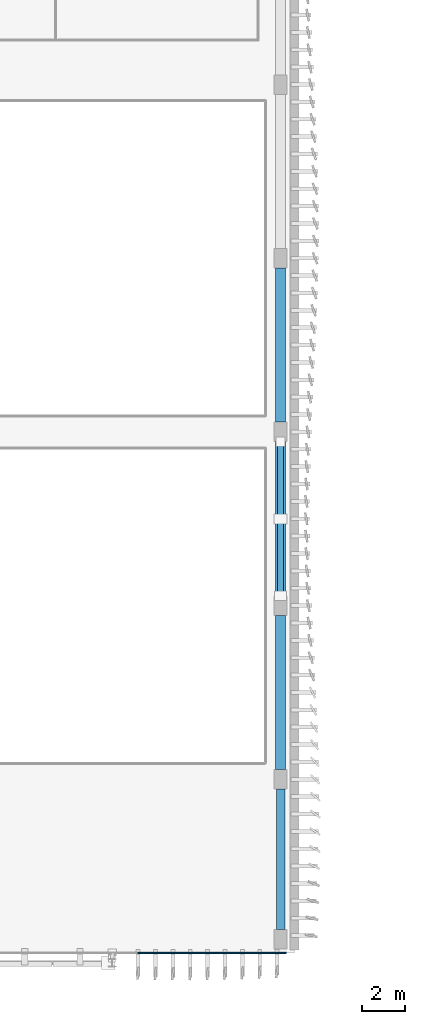
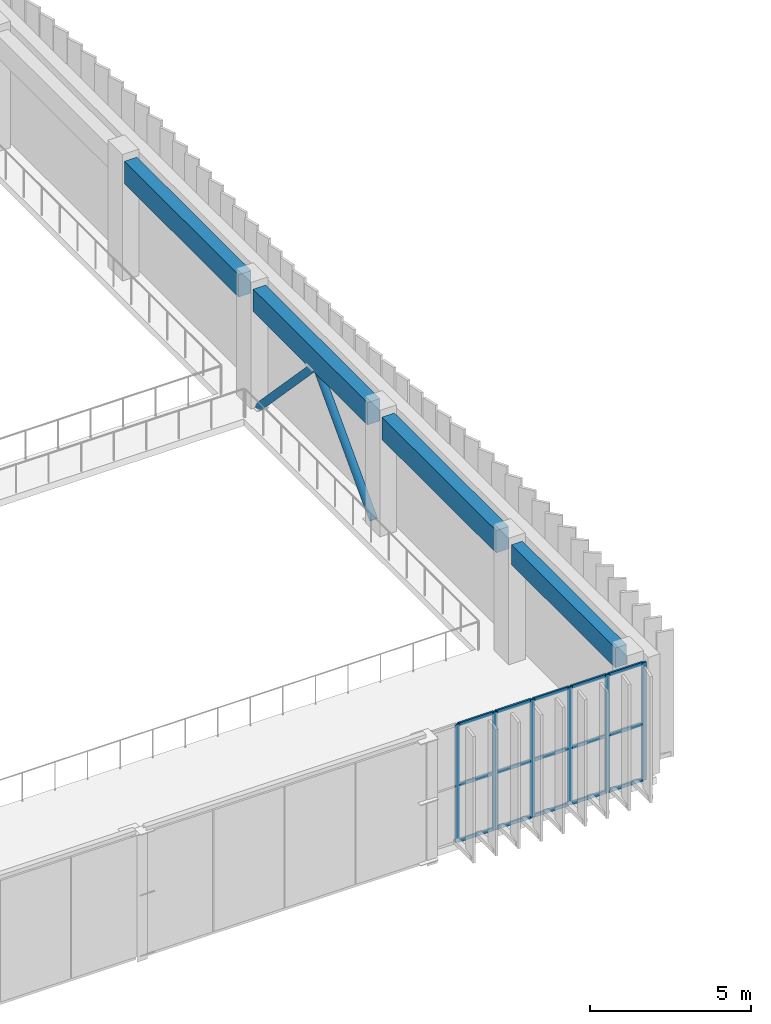
# One storey, part 7 of 64: 23 members, 4 beams, 1 element without a shape of its own.
"""IFC4 building model written with IfcOpenShell, lengths in metres."""

from ifc_helpers import new_model, si_unit, direction, frame, origin, origin_2d, place, context, subcontext, project, spatial, rectangle, hollow_circle, extrude, material, layer, layer_set, material_profile, profile_set, type_object, element, aggregate, save


model = new_model("IFC4")

# Units and contexts
model_context = context("Model", 3, precision=1e-05, world=origin(), true_north=direction((0.0, 1.0)))
body_context = subcontext(model_context, "Body", "Model", "MODEL_VIEW")
ifc_project = project(units=[si_unit("LENGTHUNIT", "METRE"), si_unit("AREAUNIT", "SQUARE_METRE"), si_unit("VOLUMEUNIT", "CUBIC_METRE"), si_unit("PLANEANGLEUNIT", "RADIAN"), si_unit("MASSUNIT", "GRAM", prefix="KILO")], contexts=[model_context])

# Site, building, storey
site_placement = place(None, origin())
site = spatial("IfcSite", under=ifc_project, at=site_placement, CompositionType="ELEMENT")
building_placement = place(site_placement, origin())
building = spatial("IfcBuilding", under=site, at=building_placement, Name="Cinchona Park Media Centre", CompositionType="ELEMENT")
storey_placement = place(building_placement, frame((0.0, 0.0, 5.39990234375)))
storey = spatial("IfcBuildingStorey", under=building, at=storey_placement, Name="L01", CompositionType="ELEMENT", Elevation=5.39990234375)

# Beams
ifc_material_1 = material(Name="Concrete C35/45", Category="concrete")
ifc_material_profile_1 = material_profile(ifc_material_1, rectangle(XDim=0.39990234375, YDim=0.75, at=origin_2d()), Name="RB 400X750")
ifc_profile_set_1 = profile_set([ifc_material_profile_1], Name="Concrete C35/45")
beam_type_1 = type_object("IfcBeamType", Name="BEAM-B01-RB400X750", PredefinedType="BEAM", material=ifc_profile_set_1)
beam_placement = place(storey_placement, frame((45.360107421875, 8.68994140625, 4.14501953125), z_axis=(0.0, 1.0, 0.0), x_axis=(-1.0, 0.0, 0.0)))
element("IfcBeam", 1, at=beam_placement, inside=storey, type_object=beam_type_1, Name="Girder B01 L01", PredefinedType="BEAM", context=body_context, shape_type="SweptSolid", body=[
    extrude(rectangle(XDim=0.39990234375, YDim=0.75, at=origin_2d()), origin(), (0.0, 0.0, 1.0), 6.4599609375),
])
ifc_material_2 = material(Name="Concrete C35/45", Category="concrete")
ifc_material_profile_2 = material_profile(ifc_material_2, rectangle(XDim=0.449951171875, YDim=0.85009765625, at=origin_2d()), Name="RB 450X850")
ifc_profile_set_2 = profile_set([ifc_material_profile_2], Name="Concrete C35/45")
beam_type_2 = type_object("IfcBeamType", Name="BEAM-B02-RB450X850", PredefinedType="BEAM", material=ifc_profile_set_2)
for number, where, z_axis, x_axis, name in (
    (2, (45.360107421875, 16.050048828125, 4.09521484375), (0.0, 1.0, 0.0), (-1.0, 0.0, 0.0), "Girder B02 L01"),
    (3, (45.360107421875, 24.050048828125, 4.09521484375), (0.0, 1.0, 0.0), (-1.0, 0.0, 0.0), "Girder B02 L01"),
    (4, (45.360107421875, 32.050048828125, 4.09521484375), (0.0, 1.0, 0.0), (-1.0, 0.0, 0.0), "Girder B02 L01"),
):
    element("IfcBeam", number, at=place(storey_placement, frame(where, z_axis=z_axis, x_axis=x_axis)), inside=storey, type_object=beam_type_2, Name=name, PredefinedType="BEAM", context=body_context, shape_type="SweptSolid", body=[
        extrude(rectangle(XDim=0.449951171875, YDim=0.85009765625, at=origin_2d()), origin(), (0.0, 0.0, 1.0), 7.099853515625),
    ])

# Members
ifc_material_3 = material(Name="Steel S355", Category="steel")
ifc_material_profile_3 = material_profile(ifc_material_3, hollow_circle(Radius=0.136474609375, WallThickness=0.01611328125, at=origin_2d()), Name="273X16CHS")
ifc_profile_set_3 = profile_set([ifc_material_profile_3], Name="Steel S355")
member_type_1 = type_object("IfcMemberType", Name="MEMBER-BR01-CHS273X16", PredefinedType="BRACE", material=ifc_profile_set_3)
member_1_placement = place(storey_placement, frame((45.360107421875, 24.054931640625, 0.005126953125), z_axis=(0.0, 0.690368318146, 0.723458074321), x_axis=(-1.0, 0.0, 0.0)))
element("IfcMember", 5, at=member_1_placement, inside=storey, type_object=member_type_1, Name="Vertical Chevron Brace BR01 L01", PredefinedType="BRACE", context=body_context, shape_type="SweptSolid", body=[
    extrude(hollow_circle(Radius=0.136474609375, WallThickness=0.01611328125, at=origin_2d()), origin(), (0.0, 0.0, 1.0), 5.13525390625),
])
member_2_placement = place(storey_placement, frame((45.360107421875, 31.14501953125, 0.005126953125), z_axis=(0.0, -0.690343433444, 0.723481820021), x_axis=(1.0, 0.0, 0.0)))
element("IfcMember", 6, at=member_2_placement, inside=storey, type_object=member_type_1, Name="Vertical Chevron Brace BR01 L01", PredefinedType="BRACE", context=body_context, shape_type="SweptSolid", body=[
    extrude(hollow_circle(Radius=0.136474609375, WallThickness=0.01611328125, at=origin_2d()), origin(), (0.0, 0.0, 1.0), 5.135009765625),
])

# Curtain wall, members
ifc_material_4 = material(Name="Aluminium Curtain Wall Framing", Category="aluminium")
ifc_layer = layer(ifc_material_4, 0.22509765625)
ifc_layer_set = layer_set([ifc_layer], Name="Aluminium Curtain Wall Framing")
curtain_wall_type = type_object("IfcCurtainWallType", Name="CW-CW04", PredefinedType="USERDEFINED", material=ifc_layer_set)
curtain_wall_placement = place(storey_placement, origin())
curtain_wall = element("IfcCurtainWall", 7, at=curtain_wall_placement, inside=storey, type_object=curtain_wall_type, Name="Curtain Wall CW04 L01", ObjectType="UNITISED CURTAIN WALL", PredefinedType="USERDEFINED")
ifc_material_5 = material(Name="Anodised Aluminium Alloy 6063-T6", Category="aluminium")
ifc_material_profile_4 = material_profile(ifc_material_5, rectangle(XDim=0.06494140625, YDim=0.159912109375, at=origin_2d()), Name="MUL-65X160")
ifc_profile_set_4 = profile_set([ifc_material_profile_4], Name="Anodised Aluminium Alloy 6063-T6")
member_type_2 = type_object("IfcMemberType", Name="MULLION-MUL01", PredefinedType="MULLION", material=ifc_profile_set_4)
member_3_placement = place(storey_placement, frame((45.547607421875, 7.60009765625, 0.050048828125), z_axis=(0.0, 0.0, 1.0), x_axis=(0.0, -1.0, 0.0)))
member_3 = element("IfcMember", 8, at=member_3_placement, type_object=member_type_2, Name="CW04 mullion 1", PredefinedType="MULLION", context=body_context, shape_type="SweptSolid", body=[
    extrude(rectangle(XDim=0.06494140625, YDim=0.159912109375, at=origin_2d()), origin(), (0.0, 0.0, 1.0), 4.469970703125),
])
member_4_placement = place(storey_placement, frame((44.234619140625, 7.60009765625, 0.050048828125), z_axis=(0.0, 0.0, 1.0), x_axis=(0.0, -1.0, 0.0)))
member_4 = element("IfcMember", 9, at=member_4_placement, type_object=member_type_2, Name="CW04 mullion 2", PredefinedType="MULLION", context=body_context, shape_type="SweptSolid", body=[
    extrude(rectangle(XDim=0.06494140625, YDim=0.159912109375, at=origin_2d()), origin(), (0.0, 0.0, 1.0), 4.469970703125),
])
member_5_placement = place(storey_placement, frame((42.88916015625, 7.60009765625, 0.050048828125), z_axis=(0.0, 0.0, 1.0), x_axis=(0.0, -1.0, 0.0)))
member_5 = element("IfcMember", 10, at=member_5_placement, type_object=member_type_2, Name="CW04 mullion 3", PredefinedType="MULLION", context=body_context, shape_type="SweptSolid", body=[
    extrude(rectangle(XDim=0.06494140625, YDim=0.159912109375, at=origin_2d()), origin(), (0.0, 0.0, 1.0), 4.469970703125),
])
member_6_placement = place(storey_placement, frame((41.543701171875, 7.60009765625, 0.050048828125), z_axis=(0.0, 0.0, 1.0), x_axis=(0.0, -1.0, 0.0)))
member_6 = element("IfcMember", 11, at=member_6_placement, type_object=member_type_2, Name="CW04 mullion 4", PredefinedType="MULLION", context=body_context, shape_type="SweptSolid", body=[
    extrude(rectangle(XDim=0.06494140625, YDim=0.159912109375, at=origin_2d()), origin(), (0.0, 0.0, 1.0), 4.469970703125),
])
member_7_placement = place(storey_placement, frame((40.1982421875, 7.60009765625, 0.050048828125), z_axis=(0.0, 0.0, 1.0), x_axis=(0.0, -1.0, 0.0)))
member_7 = element("IfcMember", 12, at=member_7_placement, type_object=member_type_2, Name="CW04 mullion 5", PredefinedType="MULLION", context=body_context, shape_type="SweptSolid", body=[
    extrude(rectangle(XDim=0.06494140625, YDim=0.159912109375, at=origin_2d()), origin(), (0.0, 0.0, 1.0), 4.469970703125),
])
member_8_placement = place(storey_placement, frame((38.852783203125, 7.60009765625, 0.050048828125), z_axis=(0.0, 0.0, 1.0), x_axis=(0.0, -1.0, 0.0)))
member_8 = element("IfcMember", 13, at=member_8_placement, type_object=member_type_2, Name="CW04 mullion 6", PredefinedType="MULLION", context=body_context, shape_type="SweptSolid", body=[
    extrude(rectangle(XDim=0.06494140625, YDim=0.159912109375, at=origin_2d()), origin(), (0.0, 0.0, 1.0), 4.469970703125),
])
ifc_material_6 = material(Name="Anodised Aluminium Alloy 6063-T6", Category="aluminium")
ifc_material_profile_5 = material_profile(ifc_material_6, rectangle(XDim=0.06494140625, YDim=0.1201171875, at=origin_2d()), Name="TRN-65X120")
ifc_profile_set_5 = profile_set([ifc_material_profile_5], Name="Anodised Aluminium Alloy 6063-T6")
member_type_3 = type_object("IfcMemberType", Name="TRANSOM-TRN01", PredefinedType="USERDEFINED", material=ifc_profile_set_5)
member_9_placement = place(storey_placement, frame((45.514892578125, 7.60009765625, 0.08251953125), z_axis=(-1.0, 0.0, 0.0), x_axis=(0.0, -1.0, 0.0)))
member_9 = element("IfcMember", 14, at=member_9_placement, type_object=member_type_3, Name="CW04 transom 1.1", ObjectType="TRANSOM", PredefinedType="USERDEFINED", context=body_context, shape_type="SweptSolid", body=[
    extrude(rectangle(XDim=0.06494140625, YDim=0.1201171875, at=origin_2d()), origin(), (0.0, 0.0, 1.0), 1.247802734375),
])
member_10_placement = place(storey_placement, frame((45.514892578125, 7.60009765625, 2.196044921875), z_axis=(-1.0, 0.0, 0.0), x_axis=(0.0, -1.0, 0.0)))
member_10 = element("IfcMember", 15, at=member_10_placement, type_object=member_type_3, Name="CW04 transom 1.2", ObjectType="TRANSOM", PredefinedType="USERDEFINED", context=body_context, shape_type="SweptSolid", body=[
    extrude(rectangle(XDim=0.06494140625, YDim=0.1201171875, at=origin_2d()), origin(), (0.0, 0.0, 1.0), 1.247802734375),
])
member_11_placement = place(storey_placement, frame((45.514892578125, 7.60009765625, 4.487548828125), z_axis=(-1.0, 0.0, 0.0), x_axis=(0.0, -1.0, 0.0)))
member_11 = element("IfcMember", 16, at=member_11_placement, type_object=member_type_3, Name="CW04 transom 1.3", ObjectType="TRANSOM", PredefinedType="USERDEFINED", context=body_context, shape_type="SweptSolid", body=[
    extrude(rectangle(XDim=0.06494140625, YDim=0.1201171875, at=origin_2d()), origin(), (0.0, 0.0, 1.0), 1.247802734375),
])
member_12_placement = place(storey_placement, frame((44.2021484375, 7.60009765625, 0.08251953125), z_axis=(-1.0, 0.0, 0.0), x_axis=(0.0, -1.0, 0.0)))
member_12 = element("IfcMember", 17, at=member_12_placement, type_object=member_type_3, Name="CW04 transom 2.1", ObjectType="TRANSOM", PredefinedType="USERDEFINED", context=body_context, shape_type="SweptSolid", body=[
    extrude(rectangle(XDim=0.06494140625, YDim=0.1201171875, at=origin_2d()), origin(), (0.0, 0.0, 1.0), 1.280517578125),
])
member_13_placement = place(storey_placement, frame((44.2021484375, 7.60009765625, 2.196044921875), z_axis=(-1.0, 0.0, 0.0), x_axis=(0.0, -1.0, 0.0)))
member_13 = element("IfcMember", 18, at=member_13_placement, type_object=member_type_3, Name="CW04 transom 2.2", ObjectType="TRANSOM", PredefinedType="USERDEFINED", context=body_context, shape_type="SweptSolid", body=[
    extrude(rectangle(XDim=0.06494140625, YDim=0.1201171875, at=origin_2d()), origin(), (0.0, 0.0, 1.0), 1.280517578125),
])
member_14_placement = place(storey_placement, frame((44.2021484375, 7.60009765625, 4.487548828125), z_axis=(-1.0, 0.0, 0.0), x_axis=(0.0, -1.0, 0.0)))
member_14 = element("IfcMember", 19, at=member_14_placement, type_object=member_type_3, Name="CW04 transom 2.3", ObjectType="TRANSOM", PredefinedType="USERDEFINED", context=body_context, shape_type="SweptSolid", body=[
    extrude(rectangle(XDim=0.06494140625, YDim=0.1201171875, at=origin_2d()), origin(), (0.0, 0.0, 1.0), 1.280517578125),
])
member_15_placement = place(storey_placement, frame((42.856689453125, 7.60009765625, 0.08251953125), z_axis=(-1.0, 0.0, 0.0), x_axis=(0.0, -1.0, 0.0)))
member_15 = element("IfcMember", 20, at=member_15_placement, type_object=member_type_3, Name="CW04 transom 3.1", ObjectType="TRANSOM", PredefinedType="USERDEFINED", context=body_context, shape_type="SweptSolid", body=[
    extrude(rectangle(XDim=0.06494140625, YDim=0.1201171875, at=origin_2d()), origin(), (0.0, 0.0, 1.0), 1.280517578125),
])
member_16_placement = place(storey_placement, frame((42.856689453125, 7.60009765625, 2.196044921875), z_axis=(-1.0, 0.0, 0.0), x_axis=(0.0, -1.0, 0.0)))
member_16 = element("IfcMember", 21, at=member_16_placement, type_object=member_type_3, Name="CW04 transom 3.2", ObjectType="TRANSOM", PredefinedType="USERDEFINED", context=body_context, shape_type="SweptSolid", body=[
    extrude(rectangle(XDim=0.06494140625, YDim=0.1201171875, at=origin_2d()), origin(), (0.0, 0.0, 1.0), 1.280517578125),
])
member_17_placement = place(storey_placement, frame((42.856689453125, 7.60009765625, 4.487548828125), z_axis=(-1.0, 0.0, 0.0), x_axis=(0.0, -1.0, 0.0)))
member_17 = element("IfcMember", 22, at=member_17_placement, type_object=member_type_3, Name="CW04 transom 3.3", ObjectType="TRANSOM", PredefinedType="USERDEFINED", context=body_context, shape_type="SweptSolid", body=[
    extrude(rectangle(XDim=0.06494140625, YDim=0.1201171875, at=origin_2d()), origin(), (0.0, 0.0, 1.0), 1.280517578125),
])
member_18_placement = place(storey_placement, frame((41.51123046875, 7.60009765625, 0.08251953125), z_axis=(-1.0, 0.0, 0.0), x_axis=(0.0, -1.0, 0.0)))
member_18 = element("IfcMember", 23, at=member_18_placement, type_object=member_type_3, Name="CW04 transom 4.1", ObjectType="TRANSOM", PredefinedType="USERDEFINED", context=body_context, shape_type="SweptSolid", body=[
    extrude(rectangle(XDim=0.06494140625, YDim=0.1201171875, at=origin_2d()), origin(), (0.0, 0.0, 1.0), 1.280517578125),
])
member_19_placement = place(storey_placement, frame((41.51123046875, 7.60009765625, 2.196044921875), z_axis=(-1.0, 0.0, 0.0), x_axis=(0.0, -1.0, 0.0)))
member_19 = element("IfcMember", 24, at=member_19_placement, type_object=member_type_3, Name="CW04 transom 4.2", ObjectType="TRANSOM", PredefinedType="USERDEFINED", context=body_context, shape_type="SweptSolid", body=[
    extrude(rectangle(XDim=0.06494140625, YDim=0.1201171875, at=origin_2d()), origin(), (0.0, 0.0, 1.0), 1.280517578125),
])
member_20_placement = place(storey_placement, frame((41.51123046875, 7.60009765625, 4.487548828125), z_axis=(-1.0, 0.0, 0.0), x_axis=(0.0, -1.0, 0.0)))
member_20 = element("IfcMember", 25, at=member_20_placement, type_object=member_type_3, Name="CW04 transom 4.3", ObjectType="TRANSOM", PredefinedType="USERDEFINED", context=body_context, shape_type="SweptSolid", body=[
    extrude(rectangle(XDim=0.06494140625, YDim=0.1201171875, at=origin_2d()), origin(), (0.0, 0.0, 1.0), 1.280517578125),
])
member_21_placement = place(storey_placement, frame((40.165771484375, 7.60009765625, 0.08251953125), z_axis=(-1.0, 0.0, 0.0), x_axis=(0.0, -1.0, 0.0)))
member_21 = element("IfcMember", 26, at=member_21_placement, type_object=member_type_3, Name="CW04 transom 5.1", ObjectType="TRANSOM", PredefinedType="USERDEFINED", context=body_context, shape_type="SweptSolid", body=[
    extrude(rectangle(XDim=0.06494140625, YDim=0.1201171875, at=origin_2d()), origin(), (0.0, 0.0, 1.0), 1.280517578125),
])
member_22_placement = place(storey_placement, frame((40.165771484375, 7.60009765625, 2.196044921875), z_axis=(-1.0, 0.0, 0.0), x_axis=(0.0, -1.0, 0.0)))
member_22 = element("IfcMember", 27, at=member_22_placement, type_object=member_type_3, Name="CW04 transom 5.2", ObjectType="TRANSOM", PredefinedType="USERDEFINED", context=body_context, shape_type="SweptSolid", body=[
    extrude(rectangle(XDim=0.06494140625, YDim=0.1201171875, at=origin_2d()), origin(), (0.0, 0.0, 1.0), 1.280517578125),
])
member_23_placement = place(storey_placement, frame((40.165771484375, 7.60009765625, 4.487548828125), z_axis=(-1.0, 0.0, 0.0), x_axis=(0.0, -1.0, 0.0)))
member_23 = element("IfcMember", 28, at=member_23_placement, type_object=member_type_3, Name="CW04 transom 5.3", ObjectType="TRANSOM", PredefinedType="USERDEFINED", context=body_context, shape_type="SweptSolid", body=[
    extrude(rectangle(XDim=0.06494140625, YDim=0.1201171875, at=origin_2d()), origin(), (0.0, 0.0, 1.0), 1.280517578125),
])
aggregate(curtain_wall, [member_3, member_4, member_5, member_6, member_7, member_8, member_9, member_10, member_11, member_12, member_13, member_14, member_15, member_16, member_17, member_18, member_19, member_20, member_21, member_22, member_23])

save(model, "model.ifc")
